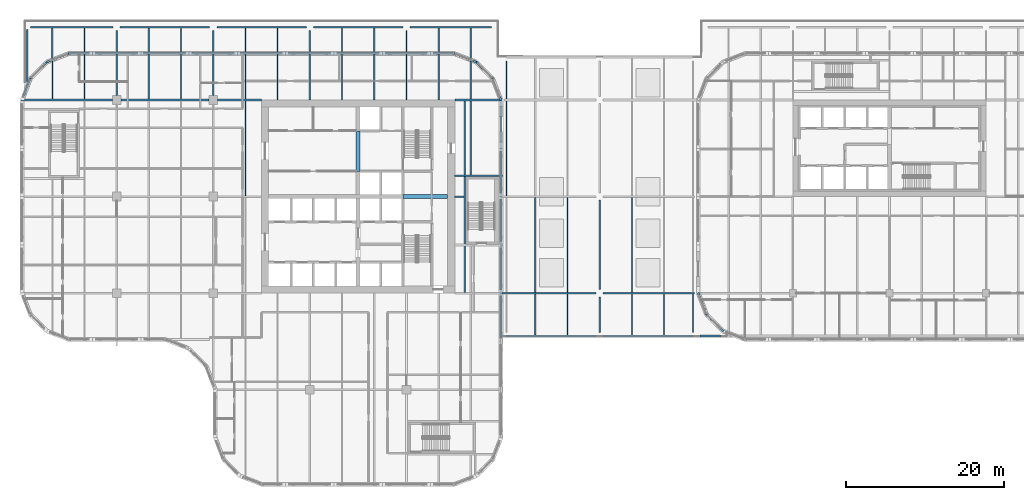
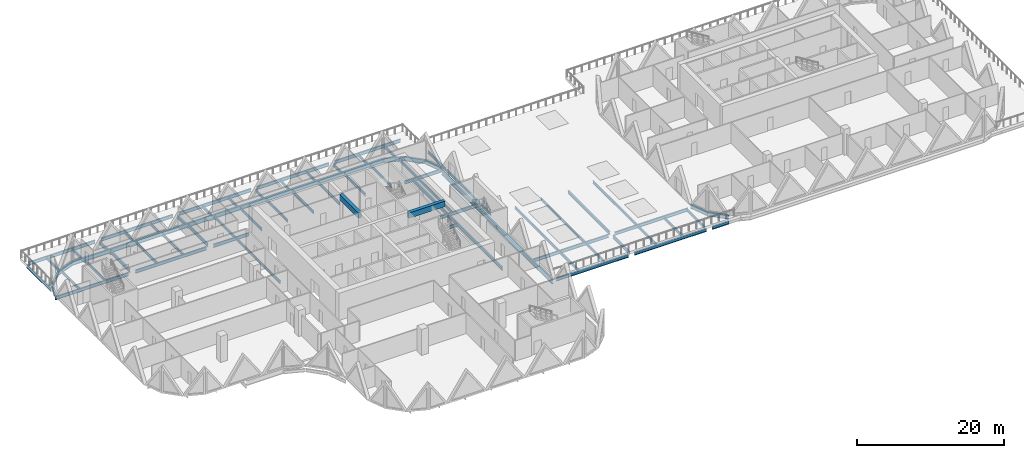
# One storey, part 2 of 21: 72 beams.
"""IFC4 building model written with IfcOpenShell, lengths in metres."""

import ifcopenshell
import ifcopenshell.guid

model = None  # the IFC model being written
_history = None  # IfcOwnerHistory: only IFC2X3 demands one
_inside = {}  # id of a spatial element -> (the spatial element, [elements in it])
_under = {}  # id of a project, library or spatial element -> (it, [spatial elements below it])
_declared = {}  # id of a project -> (the project, [libraries it declares])
_typed = {}  # id of a type object -> (the type object, [elements of that type])
_made_of = {}  # id of a material, layer set ... -> (it, [elements and type objects made of it])


def new_model(schema):
    """Start an empty IFC model of exactly this schema.

    Asked for "IFC4X3", IfcOpenShell would pick the latest addendum, in which some entities
    have other attributes; the version numbers below select the first issue.
    IFC2X3 requires an IfcOwnerHistory on every rooted entity: one is made here for all.
    """
    global model, _history
    if schema == "IFC4X3":
        model = ifcopenshell.file(schema_version=(4, 3, 0, 0))
    else:
        model = ifcopenshell.file(schema=schema)
    _inside.clear()
    _under.clear()
    _declared.clear()
    _typed.clear()
    _made_of.clear()
    _history = None
    if model.schema == "IFC2X3":
        org = make("IfcOrganization", Name="unknown")
        user = make(
            "IfcPersonAndOrganization",
            ThePerson=make("IfcPerson", FamilyName="unknown"),
            TheOrganization=org,
        )
        app = make(
            "IfcApplication",
            ApplicationDeveloper=org,
            Version="unknown",
            ApplicationFullName="unknown",
            ApplicationIdentifier="unknown",
        )
        _history = make(
            "IfcOwnerHistory",
            OwningUser=user,
            OwningApplication=app,
            ChangeAction="ADDED",
            CreationDate=0,
        )
    return model


def make(cls, **values):
    """One entity of the class cls with the attributes given. An attribute that is None is left unset."""
    return model.create_entity(
        cls, **{name: value for name, value in values.items() if value is not None}
    )


def rooted(cls, **values):
    """An entity with a GlobalId (a new one), such as an element, a storey or a relation."""
    return make(cls, GlobalId=ifcopenshell.guid.new(), OwnerHistory=_history, **values)


def si_unit(unit_type, name, prefix=None):
    """IfcSIUnit, for example si_unit("LENGTHUNIT", "METRE", prefix="MILLI")."""
    return make("IfcSIUnit", UnitType=unit_type, Prefix=prefix, Name=name)


def assignment(units):
    """IfcUnitAssignment: the units of a project."""
    return None if units is None else make("IfcUnitAssignment", Units=units)


def point(xyz):
    """IfcCartesianPoint."""
    return None if xyz is None else make("IfcCartesianPoint", Coordinates=xyz)


def direction(xyz):
    """IfcDirection."""
    return None if xyz is None else make("IfcDirection", DirectionRatios=xyz)


def frame(location, z_axis=None, x_axis=None):
    """IfcAxis2Placement3D, a coordinate frame: its origin and axes. An axis left out is left unset."""
    return make(
        "IfcAxis2Placement3D",
        Location=point(location),
        Axis=direction(z_axis),
        RefDirection=direction(x_axis),
    )


def frame_2d(location, x_axis=None):
    """IfcAxis2Placement2D, a coordinate frame in the plane: its origin and x axis."""
    return make(
        "IfcAxis2Placement2D", Location=point(location), RefDirection=direction(x_axis)
    )


def origin():
    """The frame at (0, 0, 0) with its axes left unset."""
    return frame((0.0, 0.0, 0.0))


def origin_2d():
    """The frame at (0, 0) in the plane with its x axis left unset."""
    return frame_2d((0.0, 0.0))


def place(relative_to, where):
    """IfcLocalPlacement: puts the frame where relative to a parent placement (None: the world)."""
    return make(
        "IfcLocalPlacement", PlacementRelTo=relative_to, RelativePlacement=where
    )


def context(
    kind, dimensions, precision=None, world=None, true_north=None, identifier=None
):
    """IfcGeometricRepresentationContext, for example the 3D "Model" context."""
    return make(
        "IfcGeometricRepresentationContext",
        ContextIdentifier=identifier,
        ContextType=kind,
        CoordinateSpaceDimension=dimensions,
        Precision=precision,
        WorldCoordinateSystem=world,
        TrueNorth=true_north,
    )


def subcontext(parent, identifier, kind, view, scale=None):
    """IfcGeometricRepresentationSubContext, for example "Body" below "Model"."""
    return make(
        "IfcGeometricRepresentationSubContext",
        ContextIdentifier=identifier,
        ContextType=kind,
        ParentContext=parent,
        TargetScale=scale,
        TargetView=view,
    )


def project(units=None, contexts=None):
    """IfcProject with its units and contexts."""
    return rooted(
        "IfcProject",
        Name="project",
        RepresentationContexts=contexts,
        UnitsInContext=assignment(units),
    )


def spatial(cls, under=None, at=None, **own):
    """A site, building, storey or space (cls), placed at a placement, below another one or the project."""
    s = rooted(cls, ObjectPlacement=at, **own)
    if under is not None:
        _under.setdefault(under.id(), (under, []))[1].append(s)
    return s


def profile(cls, at=None, kind="AREA", **sizes):
    """A parametric profile (cls). Its sizes go by their IFC names, for example OverallWidth=200.0."""
    return make(cls, ProfileType=kind, Position=at, **sizes)


def rectangle(**sizes):
    """IfcRectangleProfileDef."""
    return profile("IfcRectangleProfileDef", **sizes)


def i_section(**sizes):
    """IfcIShapeProfileDef."""
    return profile("IfcIShapeProfileDef", **sizes)


def extrude(swept, where, along, depth):
    """IfcExtrudedAreaSolid: the profile swept, set in the frame where, extruded along a direction by depth."""
    return make(
        "IfcExtrudedAreaSolid",
        SweptArea=swept,
        Position=where,
        ExtrudedDirection=direction(along),
        Depth=depth,
    )


def shape(context_of_items, identifier, shape_type, items):
    """IfcShapeRepresentation: the items that make up one representation, for example the "Body"."""
    return make(
        "IfcShapeRepresentation",
        ContextOfItems=context_of_items,
        RepresentationIdentifier=identifier,
        RepresentationType=shape_type,
        Items=items,
    )


def material(Name=None, Category=None):
    """IfcMaterial."""
    return make("IfcMaterial", Name=Name, Category=Category)


def material_profile(
    of_material, cross_section, Name=None, Category=None, Priority=None
):
    """IfcMaterialProfile: a cross section and its material."""
    return make(
        "IfcMaterialProfile",
        Name=Name,
        Material=of_material,
        Profile=cross_section,
        Priority=Priority,
        Category=Category,
    )


def profile_set(profiles, Name=None, composite=None):
    """IfcMaterialProfileSet."""
    return make(
        "IfcMaterialProfileSet",
        Name=Name,
        MaterialProfiles=profiles,
        CompositeProfile=composite,
    )


def made_of(thing, what):
    """Note that an element or type object is made of a material, layer set ...; save() writes the relation."""
    if what is not None:
        _made_of.setdefault(what.id(), (what, []))[1].append(thing)
    return thing


def type_object(cls, material=None, **own):
    """A type object (cls), such as IfcWallType, which elements share."""
    return made_of(rooted(cls, **own), material)


def element(
    cls,
    number,
    at=None,
    inside=None,
    cuts=None,
    type_object=None,
    material=None,
    context=None,
    identifier="Body",
    shape_type=None,
    held_by="IfcProductDefinitionShape",
    body=None,
    shapes=None,
    **own,
):
    """One element of the class cls, such as IfcWall. Its Tag is "e" and its number.

    at: its placement. inside: the storey or other place that contains it. cuts: it is an
    opening in that element (IfcRelVoidsElement). A single representation is given by context,
    identifier, shape_type and body (its items); several are given by shapes. held_by: the class
    of the entity that holds the representations. save() writes the other relations.
    """
    e = rooted(cls, Tag="e%d" % number, ObjectPlacement=at, **own)
    if body is not None:
        shapes = [shape(context, identifier, shape_type, body)]
    if shapes is not None:
        e.Representation = make(held_by, Representations=shapes)
    if inside is not None:
        _inside.setdefault(inside.id(), (inside, []))[1].append(e)
    if cuts is not None:
        rooted(
            "IfcRelVoidsElement", RelatingBuildingElement=cuts, RelatedOpeningElement=e
        )
    if type_object is not None:
        _typed.setdefault(type_object.id(), (type_object, []))[1].append(e)
    return made_of(e, material)


def aggregate(whole, parts):
    """IfcRelAggregates: a whole, such as a stair, and the parts it consists of."""
    return rooted("IfcRelAggregates", RelatingObject=whole, RelatedObjects=parts)


def save(model, path):
    """Write the relations noted so far, then the file.

    IfcRelAggregates (storeys below a building ...), IfcRelContainedInSpatialStructure (elements
    in a storey), IfcRelDefinesByType, IfcRelAssociatesMaterial and IfcRelDeclares: one each for
    every whole, place, type object, material and project.
    """
    for whole, parts in _under.values():
        aggregate(whole, parts)
    for where, things in _inside.values():
        rooted(
            "IfcRelContainedInSpatialStructure",
            RelatedElements=things,
            RelatingStructure=where,
        )
    for kind, things in _typed.values():
        rooted("IfcRelDefinesByType", RelatedObjects=things, RelatingType=kind)
    for what, things in _made_of.values():
        rooted("IfcRelAssociatesMaterial", RelatedObjects=things, RelatingMaterial=what)
    for by, libraries in _declared.values():
        rooted("IfcRelDeclares", RelatingContext=by, RelatedDefinitions=libraries)
    model.write(path)


model = new_model("IFC4")

# Units and contexts
model_context = context("Model", 3, precision=1e-05, world=origin(), true_north=direction((0.0, 1.0)))
body_context = subcontext(model_context, "Body", "Model", "MODEL_VIEW")
ifc_project = project(units=[si_unit("LENGTHUNIT", "METRE"), si_unit("AREAUNIT", "SQUARE_METRE"), si_unit("VOLUMEUNIT", "CUBIC_METRE"), si_unit("PLANEANGLEUNIT", "RADIAN"), si_unit("MASSUNIT", "GRAM", prefix="KILO")], contexts=[model_context])

# Site, building, storey
site_placement = place(None, origin())
site = spatial("IfcSite", under=ifc_project, at=site_placement, CompositionType="ELEMENT")
building_placement = place(site_placement, origin())
building = spatial("IfcBuilding", under=site, at=building_placement, Name="Tessera Gate Towers", CompositionType="ELEMENT")
storey_placement = place(building_placement, frame((0.0, 0.0, 16.800048828125)))
storey = spatial("IfcBuildingStorey", under=building, at=storey_placement, Name="L03", CompositionType="ELEMENT", Elevation=16.800048828125)

# Beams
ifc_material_1 = material(Name="Concrete C70/85", Category="concrete")
ifc_material_profile_1 = material_profile(ifc_material_1, rectangle(XDim=0.5, YDim=0.89990234375, at=origin_2d()), Name="RC 500x900")
ifc_profile_set_1 = profile_set([ifc_material_profile_1], Name="Concrete C70/85")
beam_type_1 = type_object("IfcBeamType", Name="COUPLING BEAM 500x900 C70/85", PredefinedType="BEAM", material=ifc_profile_set_1)
beam_1_placement = place(storey_placement, frame((48.35009765625, 36.60009765625, 3.849853515625), z_axis=(1.0, 0.0, 0.0), x_axis=(0.0, 1.0, 0.0)))
element("IfcBeam", 1, at=beam_1_placement, inside=storey, type_object=beam_type_1, Name="L03 coupling beam 1", PredefinedType="BEAM", context=body_context, shape_type="SweptSolid", body=[
    extrude(rectangle(XDim=0.5, YDim=0.89990234375, at=origin_2d()), origin(), (0.0, 0.0, 1.0), 5.64990234375),
])
beam_2_placement = place(storey_placement, frame((42.699951171875, 39.800048828125, 3.849853515625), z_axis=(0.0, 1.0, 0.0), x_axis=(-1.0, 0.0, 0.0)))
element("IfcBeam", 2, at=beam_2_placement, inside=storey, type_object=beam_type_1, Name="L03 coupling beam 2", PredefinedType="BEAM", context=body_context, shape_type="SweptSolid", body=[
    extrude(rectangle(XDim=0.5, YDim=0.89990234375, at=origin_2d()), origin(), (0.0, 0.0, 1.0), 5.099853515625),
])
ifc_material_2 = material(Name="Steel 350W", Category="steel")
ifc_material_profile_2 = material_profile(ifc_material_2, i_section(OverallWidth=0.2529296875, OverallDepth=0.677978515625, WebThickness=0.01171875, FlangeThickness=0.016357421875, at=origin_2d()), Name="W690x125")
ifc_profile_set_2 = profile_set([ifc_material_profile_2], Name="Steel 350W")
beam_type_2 = type_object("IfcBeamType", Name="FLOOR EDGE GIRDER W690x125", PredefinedType="BEAM", material=ifc_profile_set_2)
beam_3_placement = place(storey_placement, frame((60.75, 18.800048828125, -0.7890625), z_axis=(0.0, 1.0, 0.0), x_axis=(-1.0, 0.0, 0.0)))
element("IfcBeam", 3, at=beam_3_placement, inside=storey, type_object=beam_type_2, Name="T1-GD-L03-555", PredefinedType="BEAM", context=body_context, shape_type="SweptSolid", body=[
    extrude(i_section(OverallWidth=0.2529296875, OverallDepth=0.677978515625, WebThickness=0.01171875, FlangeThickness=0.016357421875, at=origin_2d()), origin(), (0.0, 0.0, 1.0), 29.969970703125),
])
for number, where, z_axis, x_axis, name in (
    (4, (59.6796875, 51.527587890625, -0.339111328125), (0.360002034285, -0.932951518199, 0.0), (0.932951518199, 0.360002034285, 0.0), "T1-GD-L03-556"),
    (5, (57.590087890625, 53.604248046875, -0.339111328125), (0.707106781187, -0.707106781187, 0.0), (0.707106781187, 0.707106781187, 0.0), "T1-GD-L03-557"),
):
    element("IfcBeam", number, at=place(storey_placement, frame(where, z_axis=z_axis, x_axis=x_axis)), inside=storey, type_object=beam_type_2, Name=name, PredefinedType="BEAM", context=body_context, shape_type="SweptSolid", body=[
        extrude(i_section(OverallWidth=0.2529296875, OverallDepth=0.677978515625, WebThickness=0.01171875, FlangeThickness=0.016357421875, at=origin_2d()), origin(), (0.0, 0.0, 1.0), 2.989990234375),
    ])
beam_4_placement = place(storey_placement, frame((54.837890625, 54.656005859375, -0.339111328125), z_axis=(0.932989517273, -0.359903543549, 0.0), x_axis=(0.359903543549, 0.932989517273, 0.0)))
element("IfcBeam", 6, at=beam_4_placement, inside=storey, type_object=beam_type_2, Name="T1-GD-L03-558", PredefinedType="BEAM", context=body_context, shape_type="SweptSolid", body=[
    extrude(i_section(OverallWidth=0.2529296875, OverallDepth=0.677978515625, WebThickness=0.01171875, FlangeThickness=0.016357421875, at=origin_2d()), origin(), (0.0, 0.0, 1.0), 2.990234375),
])
beam_5_placement = place(storey_placement, frame((6.1298828125, 54.64990234375, -0.339111328125), z_axis=(1.0, 0.0, 0.0), x_axis=(0.0, 1.0, 0.0)))
element("IfcBeam", 7, at=beam_5_placement, inside=storey, type_object=beam_type_2, Name="T1-GD-L03-559", PredefinedType="BEAM", context=body_context, shape_type="SweptSolid", body=[
    extrude(i_section(OverallWidth=0.2529296875, OverallDepth=0.677978515625, WebThickness=0.01171875, FlangeThickness=0.016357421875, at=origin_2d()), origin(), (0.0, 0.0, 1.0), 48.740234375),
])
beam_6_placement = place(storey_placement, frame((3.372314453125, 53.579833984375, -0.339111328125), z_axis=(0.932989517273, 0.359903543549, 0.0), x_axis=(-0.359903543549, 0.932989517273, 0.0)))
element("IfcBeam", 8, at=beam_6_placement, inside=storey, type_object=beam_type_2, Name="T1-GD-L03-560", PredefinedType="BEAM", context=body_context, shape_type="SweptSolid", body=[
    extrude(i_section(OverallWidth=0.2529296875, OverallDepth=0.677978515625, WebThickness=0.01171875, FlangeThickness=0.016357421875, at=origin_2d()), origin(), (0.0, 0.0, 1.0), 2.990234375),
])
beam_7_placement = place(storey_placement, frame((1.295654296875, 51.489990234375, -0.339111328125), z_axis=(0.707106781187, 0.707106781187, 0.0), x_axis=(-0.707106781187, 0.707106781187, 0.0)))
element("IfcBeam", 9, at=beam_7_placement, inside=storey, type_object=beam_type_2, Name="T1-GD-L03-561", PredefinedType="BEAM", context=body_context, shape_type="SweptSolid", body=[
    extrude(i_section(OverallWidth=0.2529296875, OverallDepth=0.677978515625, WebThickness=0.01171875, FlangeThickness=0.016357421875, at=origin_2d()), origin(), (0.0, 0.0, 1.0), 2.989990234375),
])
beam_8_placement = place(storey_placement, frame((0.5, 49.401611328125, -0.339111328125), z_axis=(0.359983981069, 0.932958484271, 0.0), x_axis=(-0.932958484271, 0.359983981069, 0.0)))
element("IfcBeam", 10, at=beam_8_placement, inside=storey, type_object=beam_type_2, Name="T1-GD-L03-562", PredefinedType="BEAM", context=body_context, shape_type="SweptSolid", body=[
    extrude(i_section(OverallWidth=0.2529296875, OverallDepth=0.677978515625, WebThickness=0.01171875, FlangeThickness=0.016357421875, at=origin_2d()), origin(), (0.0, 0.0, 1.0), 2.27880859375),
])
beam_9_placement = place(storey_placement, frame((85.64404296875, 24.4619140625, -0.339111328125), z_axis=(0.359930961693, -0.932978940178, 0.0), x_axis=(0.932978940178, 0.359930961693, 0.0)))
element("IfcBeam", 11, at=beam_9_placement, inside=storey, type_object=beam_type_2, Name="T2-GD-L03-652", PredefinedType="BEAM", context=body_context, shape_type="SweptSolid", body=[
    extrude(i_section(OverallWidth=0.2529296875, OverallDepth=0.677978515625, WebThickness=0.01171875, FlangeThickness=0.016357421875, at=origin_2d()), origin(), (0.0, 0.0, 1.0), 2.989990234375),
])
beam_10_placement = place(storey_placement, frame((86.69580078125, 21.7099609375, -0.339111328125), z_axis=(0.707065951624, -0.707147608392, 0.0), x_axis=(0.707147608392, 0.707065951624, 0.0)))
element("IfcBeam", 12, at=beam_10_placement, inside=storey, type_object=beam_type_2, Name="T2-GD-L03-653", PredefinedType="BEAM", context=body_context, shape_type="SweptSolid", body=[
    extrude(i_section(OverallWidth=0.2529296875, OverallDepth=0.677978515625, WebThickness=0.01171875, FlangeThickness=0.016357421875, at=origin_2d()), origin(), (0.0, 0.0, 1.0), 2.98974609375),
])
ifc_material_3 = material(Name="Steel 350W", Category="steel")
ifc_material_profile_3 = material_profile(ifc_material_3, i_section(OverallWidth=0.208984375, OverallDepth=0.532958984375, WebThickness=0.01025390625, FlangeThickness=0.015625, at=origin_2d()), Name="W530x92")
ifc_profile_set_3 = profile_set([ifc_material_profile_3], Name="Steel 350W")
beam_type_3 = type_object("IfcBeamType", Name="FLOOR GIRDER W530x92", PredefinedType="BEAM", material=ifc_profile_set_3)
beam_11_placement = place(storey_placement, frame((54.89892578125, 36.60009765625, -0.466552734375), z_axis=(1.0, 0.0, 0.0), x_axis=(0.0, 1.0, 0.0)))
element("IfcBeam", 13, at=beam_11_placement, inside=storey, type_object=beam_type_3, Name="T1-GD-L03-573", PredefinedType="BEAM", context=body_context, shape_type="SweptSolid", body=[
    extrude(i_section(OverallWidth=0.208984375, OverallDepth=0.532958984375, WebThickness=0.01025390625, FlangeThickness=0.015625, at=origin_2d()), origin(), (0.0, 0.0, 1.0), 1.176513671875),
])
beam_12_placement = place(storey_placement, frame((0.143310546875, 48.800048828125, -0.466552734375), z_axis=(1.0, 0.0, 0.0), x_axis=(0.0, 1.0, 0.0)))
element("IfcBeam", 14, at=beam_12_placement, inside=storey, type_object=beam_type_3, Name="T1-GD-L03-574", PredefinedType="BEAM", context=body_context, shape_type="SweptSolid", body=[
    extrude(i_section(OverallWidth=0.208984375, OverallDepth=0.532958984375, WebThickness=0.01025390625, FlangeThickness=0.015625, at=origin_2d()), origin(), (0.0, 0.0, 1.0), 11.506591796875),
])
beam_13_placement = place(storey_placement, frame((12.75, 48.800048828125, -0.466552734375), z_axis=(1.0, 0.0, 0.0), x_axis=(0.0, 1.0, 0.0)))
element("IfcBeam", 15, at=beam_13_placement, inside=storey, type_object=beam_type_3, Name="T1-GD-L03-575", PredefinedType="BEAM", context=body_context, shape_type="SweptSolid", body=[
    extrude(i_section(OverallWidth=0.208984375, OverallDepth=0.532958984375, WebThickness=0.01025390625, FlangeThickness=0.015625, at=origin_2d()), origin(), (0.0, 0.0, 1.0), 11.10009765625),
])
beam_14_placement = place(storey_placement, frame((24.949951171875, 48.800048828125, -0.466552734375), z_axis=(1.0, 0.0, 0.0), x_axis=(0.0, 1.0, 0.0)))
element("IfcBeam", 16, at=beam_14_placement, inside=storey, type_object=beam_type_3, Name="T1-GD-L03-576", PredefinedType="BEAM", context=body_context, shape_type="SweptSolid", body=[
    extrude(i_section(OverallWidth=0.208984375, OverallDepth=0.532958984375, WebThickness=0.01025390625, FlangeThickness=0.015625, at=origin_2d()), origin(), (0.0, 0.0, 1.0), 5.549072265625),
])
beam_15_placement = place(storey_placement, frame((54.90087890625, 48.800048828125, -0.466552734375), z_axis=(1.0, 0.0, 0.0), x_axis=(0.0, 1.0, 0.0)))
element("IfcBeam", 17, at=beam_15_placement, inside=storey, type_object=beam_type_3, Name="T1-GD-L03-577", PredefinedType="BEAM", context=body_context, shape_type="SweptSolid", body=[
    extrude(i_section(OverallWidth=0.208984375, OverallDepth=0.532958984375, WebThickness=0.01025390625, FlangeThickness=0.015625, at=origin_2d()), origin(), (0.0, 0.0, 1.0), 5.695556640625),
])
for number, where, z_axis, x_axis, name in (
    (18, (12.199951171875, 49.35009765625, -0.466552734375), (0.0, 1.0, 0.0), (-1.0, 0.0, 0.0), "T1-GD-L03-581"),
    (19, (24.39990234375, 49.35009765625, -0.466552734375), (0.0, 1.0, 0.0), (-1.0, 0.0, 0.0), "T1-GD-L03-585"),
):
    element("IfcBeam", number, at=place(storey_placement, frame(where, z_axis=z_axis, x_axis=x_axis)), inside=storey, type_object=beam_type_3, Name=name, PredefinedType="BEAM", context=body_context, shape_type="SweptSolid", body=[
        extrude(i_section(OverallWidth=0.208984375, OverallDepth=0.532958984375, WebThickness=0.01025390625, FlangeThickness=0.015625, at=origin_2d()), origin(), (0.0, 0.0, 1.0), 5.17333984375),
    ])
beam_16_placement = place(storey_placement, frame((54.89892578125, 39.219970703125, -0.466552734375), z_axis=(1.0, 0.0, 0.0), x_axis=(0.0, 1.0, 0.0)))
element("IfcBeam", 20, at=beam_16_placement, inside=storey, type_object=beam_type_3, Name="T1-GD-L03-595", PredefinedType="BEAM", context=body_context, shape_type="SweptSolid", body=[
    extrude(i_section(OverallWidth=0.208984375, OverallDepth=0.532958984375, WebThickness=0.01025390625, FlangeThickness=0.015625, at=origin_2d()), origin(), (0.0, 0.0, 1.0), 6.024658203125),
])
beam_17_placement = place(storey_placement, frame((56.179931640625, 24.50439453125, -0.466552734375), z_axis=(0.0, 1.0, 0.0), x_axis=(-1.0, 0.0, 0.0)))
element("IfcBeam", 21, at=beam_17_placement, inside=storey, type_object=beam_type_3, Name="T1-GD-L03-596", PredefinedType="BEAM", context=body_context, shape_type="SweptSolid", body=[
    extrude(i_section(OverallWidth=0.208984375, OverallDepth=0.532958984375, WebThickness=0.01025390625, FlangeThickness=0.015625, at=origin_2d()), origin(), (0.0, 0.0, 1.0), 24.191162109375),
])
for number, where, z_axis, x_axis, name in (
    (22, (61.449951171875, 19.0, -0.716552734375), (1.0, 0.0, 0.0), (0.0, 1.0, 0.0), "PD-R-GD-L03-701"),
    (23, (73.64990234375, 19.0, -0.716552734375), (1.0, 0.0, 0.0), (0.0, 1.0, 0.0), "PD-R-GD-L03-702"),
):
    element("IfcBeam", number, at=place(storey_placement, frame(where, z_axis=z_axis, x_axis=x_axis)), inside=storey, type_object=beam_type_3, Name=name, PredefinedType="BEAM", context=body_context, shape_type="SweptSolid", body=[
        extrude(i_section(OverallWidth=0.208984375, OverallDepth=0.532958984375, WebThickness=0.01025390625, FlangeThickness=0.015625, at=origin_2d()), origin(), (0.0, 0.0, 1.0), 11.300048828125),
    ])
beam_18_placement = place(storey_placement, frame((85.85009765625, 19.0, -0.716552734375), z_axis=(1.0, 0.0, 0.0), x_axis=(0.0, 1.0, 0.0)))
element("IfcBeam", 24, at=beam_18_placement, inside=storey, type_object=beam_type_3, Name="PD-R-GD-L03-703", PredefinedType="BEAM", context=body_context, shape_type="SweptSolid", body=[
    extrude(i_section(OverallWidth=0.208984375, OverallDepth=0.532958984375, WebThickness=0.01025390625, FlangeThickness=0.015625, at=origin_2d()), origin(), (0.0, 0.0, 1.0), 2.59375),
])
beam_19_placement = place(storey_placement, frame((0.89990234375, 51.13037109375, -0.716552734375), z_axis=(0.0, 1.0, 0.0), x_axis=(-1.0, 0.0, 0.0)))
element("IfcBeam", 25, at=beam_19_placement, inside=storey, type_object=beam_type_3, Name="PD-R-GD-L03-707", PredefinedType="BEAM", context=body_context, shape_type="SweptSolid", body=[
    extrude(i_section(OverallWidth=0.208984375, OverallDepth=0.532958984375, WebThickness=0.01025390625, FlangeThickness=0.015625, at=origin_2d()), origin(), (0.0, 0.0, 1.0), 6.569580078125),
])
beam_20_placement = place(storey_placement, frame((60.8544921875, 24.39990234375, -0.716552734375), z_axis=(1.0, 0.0, 0.0), x_axis=(0.0, 1.0, 0.0)))
element("IfcBeam", 26, at=beam_20_placement, inside=storey, type_object=beam_type_3, Name="PD-R-GD-L03-712", PredefinedType="BEAM", context=body_context, shape_type="SweptSolid", body=[
    extrude(i_section(OverallWidth=0.208984375, OverallDepth=0.532958984375, WebThickness=0.01025390625, FlangeThickness=0.015625, at=origin_2d()), origin(), (0.0, 0.0, 1.0), 11.8955078125),
])
beam_21_placement = place(storey_placement, frame((73.64990234375, 24.39990234375, -0.716552734375), z_axis=(1.0, 0.0, 0.0), x_axis=(0.0, 1.0, 0.0)))
element("IfcBeam", 27, at=beam_21_placement, inside=storey, type_object=beam_type_3, Name="PD-R-GD-L03-713", PredefinedType="BEAM", context=body_context, shape_type="SweptSolid", body=[
    extrude(i_section(OverallWidth=0.208984375, OverallDepth=0.532958984375, WebThickness=0.01025390625, FlangeThickness=0.015625, at=origin_2d()), origin(), (0.0, 0.0, 1.0), 11.550048828125),
])
beam_22_placement = place(storey_placement, frame((1.35009765625, 58.0, -0.716552734375), z_axis=(1.0, 0.0, 0.0), x_axis=(0.0, 1.0, 0.0)))
element("IfcBeam", 28, at=beam_22_placement, inside=storey, type_object=beam_type_3, Name="PD-R-GD-L03-721", PredefinedType="BEAM", context=body_context, shape_type="SweptSolid", body=[
    extrude(i_section(OverallWidth=0.208984375, OverallDepth=0.532958984375, WebThickness=0.01025390625, FlangeThickness=0.015625, at=origin_2d()), origin(), (0.0, 0.0, 1.0), 10.39990234375),
])
beam_23_placement = place(storey_placement, frame((12.64990234375, 58.0, -0.716552734375), z_axis=(1.0, 0.0, 0.0), x_axis=(0.0, 1.0, 0.0)))
element("IfcBeam", 29, at=beam_23_placement, inside=storey, type_object=beam_type_3, Name="PD-R-GD-L03-722", PredefinedType="BEAM", context=body_context, shape_type="SweptSolid", body=[
    extrude(i_section(OverallWidth=0.208984375, OverallDepth=0.532958984375, WebThickness=0.01025390625, FlangeThickness=0.015625, at=origin_2d()), origin(), (0.0, 0.0, 1.0), 11.300048828125),
])
beam_24_placement = place(storey_placement, frame((24.85009765625, 58.0, -0.716552734375), z_axis=(1.0, 0.0, 0.0), x_axis=(0.0, 1.0, 0.0)))
element("IfcBeam", 30, at=beam_24_placement, inside=storey, type_object=beam_type_3, Name="PD-R-GD-L03-723", PredefinedType="BEAM", context=body_context, shape_type="SweptSolid", body=[
    extrude(i_section(OverallWidth=0.208984375, OverallDepth=0.532958984375, WebThickness=0.01025390625, FlangeThickness=0.015625, at=origin_2d()), origin(), (0.0, 0.0, 1.0), 11.2998046875),
])
beam_25_placement = place(storey_placement, frame((37.050048828125, 58.0, -0.716552734375), z_axis=(1.0, 0.0, 0.0), x_axis=(0.0, 1.0, 0.0)))
element("IfcBeam", 31, at=beam_25_placement, inside=storey, type_object=beam_type_3, Name="PD-R-GD-L03-724", PredefinedType="BEAM", context=body_context, shape_type="SweptSolid", body=[
    extrude(i_section(OverallWidth=0.208984375, OverallDepth=0.532958984375, WebThickness=0.01025390625, FlangeThickness=0.015625, at=origin_2d()), origin(), (0.0, 0.0, 1.0), 11.300048828125),
])
beam_26_placement = place(storey_placement, frame((49.25, 58.0, -0.716552734375), z_axis=(1.0, 0.0, 0.0), x_axis=(0.0, 1.0, 0.0)))
element("IfcBeam", 32, at=beam_26_placement, inside=storey, type_object=beam_type_3, Name="PD-R-GD-L03-725", PredefinedType="BEAM", context=body_context, shape_type="SweptSolid", body=[
    extrude(i_section(OverallWidth=0.208984375, OverallDepth=0.532958984375, WebThickness=0.01025390625, FlangeThickness=0.015625, at=origin_2d()), origin(), (0.0, 0.0, 1.0), 10.300048828125),
])
beam_27_placement = place(storey_placement, frame((12.199951171875, 54.5234375, -0.716552734375), z_axis=(0.0, 1.0, 0.0), x_axis=(-1.0, 0.0, 0.0)))
element("IfcBeam", 33, at=beam_27_placement, inside=storey, type_object=beam_type_3, Name="PD-R-GD-L03-730", PredefinedType="BEAM", context=body_context, shape_type="SweptSolid", body=[
    extrude(i_section(OverallWidth=0.208984375, OverallDepth=0.532958984375, WebThickness=0.01025390625, FlangeThickness=0.015625, at=origin_2d()), origin(), (0.0, 0.0, 1.0), 3.026611328125),
])
beam_28_placement = place(storey_placement, frame((24.39990234375, 54.75439453125, -0.716552734375), z_axis=(0.0, 1.0, 0.0), x_axis=(-1.0, 0.0, 0.0)))
element("IfcBeam", 34, at=beam_28_placement, inside=storey, type_object=beam_type_3, Name="PD-R-GD-L03-731", PredefinedType="BEAM", context=body_context, shape_type="SweptSolid", body=[
    extrude(i_section(OverallWidth=0.208984375, OverallDepth=0.532958984375, WebThickness=0.01025390625, FlangeThickness=0.015625, at=origin_2d()), origin(), (0.0, 0.0, 1.0), 2.795654296875),
])
beam_29_placement = place(storey_placement, frame((73.199951171875, 19.449951171875, -0.716552734375), z_axis=(0.0, 1.0, 0.0), x_axis=(-1.0, 0.0, 0.0)))
element("IfcBeam", 35, at=beam_29_placement, inside=storey, type_object=beam_type_3, Name="PD-R-GD-L03-732", PredefinedType="BEAM", context=body_context, shape_type="SweptSolid", body=[
    extrude(i_section(OverallWidth=0.208984375, OverallDepth=0.532958984375, WebThickness=0.01025390625, FlangeThickness=0.015625, at=origin_2d()), origin(), (0.0, 0.0, 1.0), 4.5),
])
beam_30_placement = place(storey_placement, frame((73.199951171875, 24.85009765625, -0.716552734375), z_axis=(0.0, 1.0, 0.0), x_axis=(-1.0, 0.0, 0.0)))
element("IfcBeam", 36, at=beam_30_placement, inside=storey, type_object=beam_type_3, Name="PD-R-GD-L03-733", PredefinedType="BEAM", context=body_context, shape_type="SweptSolid", body=[
    extrude(i_section(OverallWidth=0.208984375, OverallDepth=0.532958984375, WebThickness=0.01025390625, FlangeThickness=0.015625, at=origin_2d()), origin(), (0.0, 0.0, 1.0), 11.2998046875),
])
ifc_material_4 = material(Name="Steel 350W", Category="steel")
ifc_material_profile_4 = material_profile(ifc_material_4, i_section(OverallWidth=0.153076171875, OverallDepth=0.455078125, WebThickness=0.008056640625, FlangeThickness=0.01318359375, at=origin_2d()), Name="W460x60")
ifc_profile_set_4 = profile_set([ifc_material_profile_4], Name="Steel 350W")
beam_type_4 = type_object("IfcBeamType", Name="FLOOR SECONDARY W460x60", PredefinedType="BEAM", material=ifc_profile_set_4)
beam_31_placement = place(storey_placement, frame((4.0908203125, 48.904541015625, -0.427490234375), z_axis=(0.0, 1.0, 0.0), x_axis=(-1.0, 0.0, 0.0)))
element("IfcBeam", 37, at=beam_31_placement, inside=storey, type_object=beam_type_4, Name="T1-BM-L03-600", PredefinedType="BEAM", context=body_context, shape_type="SweptSolid", body=[
    extrude(i_section(OverallWidth=0.153076171875, OverallDepth=0.455078125, WebThickness=0.008056640625, FlangeThickness=0.01318359375, at=origin_2d()), origin(), (0.0, 0.0, 1.0), 4.81689453125),
])
for number, where, z_axis, x_axis, name in (
    (38, (8.13330078125, 48.904541015625, -0.427490234375), (0.0, 1.0, 0.0), (-1.0, 0.0, 0.0), "T1-BM-L03-604"),
    (39, (16.2666015625, 48.904541015625, -0.427490234375), (0.0, 1.0, 0.0), (-1.0, 0.0, 0.0), "T1-BM-L03-608"),
    (40, (20.333251953125, 48.904541015625, -0.427490234375), (0.0, 1.0, 0.0), (-1.0, 0.0, 0.0), "T1-BM-L03-612"),
):
    element("IfcBeam", number, at=place(storey_placement, frame(where, z_axis=z_axis, x_axis=x_axis)), inside=storey, type_object=beam_type_4, Name=name, PredefinedType="BEAM", context=body_context, shape_type="SweptSolid", body=[
        extrude(i_section(OverallWidth=0.153076171875, OverallDepth=0.455078125, WebThickness=0.008056640625, FlangeThickness=0.01318359375, at=origin_2d()), origin(), (0.0, 0.0, 1.0), 5.618896484375),
    ])
beam_32_placement = place(storey_placement, frame((28.466796875, 36.70458984375, -0.427490234375), z_axis=(0.0, 1.0, 0.0), x_axis=(-1.0, 0.0, 0.0)))
element("IfcBeam", 41, at=beam_32_placement, inside=storey, type_object=beam_type_4, Name="T1-BM-L03-616", PredefinedType="BEAM", context=body_context, shape_type="SweptSolid", body=[
    extrude(i_section(OverallWidth=0.153076171875, OverallDepth=0.455078125, WebThickness=0.008056640625, FlangeThickness=0.01318359375, at=origin_2d()), origin(), (0.0, 0.0, 1.0), 11.990966796875),
])
beam_33_placement = place(storey_placement, frame((28.466796875, 48.904541015625, -0.427490234375), z_axis=(0.0, 1.0, 0.0), x_axis=(-1.0, 0.0, 0.0)))
element("IfcBeam", 42, at=beam_33_placement, inside=storey, type_object=beam_type_4, Name="T1-BM-L03-617", PredefinedType="BEAM", context=body_context, shape_type="SweptSolid", body=[
    extrude(i_section(OverallWidth=0.153076171875, OverallDepth=0.455078125, WebThickness=0.008056640625, FlangeThickness=0.01318359375, at=origin_2d()), origin(), (0.0, 0.0, 1.0), 5.618896484375),
])
for number, where, z_axis, x_axis, name in (
    (43, (32.533203125, 48.800048828125, -0.427490234375), (0.0, 1.0, 0.0), (-1.0, 0.0, 0.0), "T1-BM-L03-620"),
    (44, (36.60009765625, 48.800048828125, -0.427490234375), (0.0, 1.0, 0.0), (-1.0, 0.0, 0.0), "T1-BM-L03-621"),
    (45, (40.666748046875, 48.800048828125, -0.427490234375), (0.0, 1.0, 0.0), (-1.0, 0.0, 0.0), "T1-BM-L03-624"),
    (46, (44.7333984375, 48.800048828125, -0.427490234375), (0.0, 1.0, 0.0), (-1.0, 0.0, 0.0), "T1-BM-L03-627"),
    (47, (48.800048828125, 48.800048828125, -0.427490234375), (0.0, 1.0, 0.0), (-1.0, 0.0, 0.0), "T1-BM-L03-628"),
    (48, (52.86669921875, 48.800048828125, -0.427490234375), (0.0, 1.0, 0.0), (-1.0, 0.0, 0.0), "T1-BM-L03-632"),
):
    element("IfcBeam", number, at=place(storey_placement, frame(where, z_axis=z_axis, x_axis=x_axis)), inside=storey, type_object=beam_type_4, Name=name, PredefinedType="BEAM", context=body_context, shape_type="SweptSolid", body=[
        extrude(i_section(OverallWidth=0.153076171875, OverallDepth=0.455078125, WebThickness=0.008056640625, FlangeThickness=0.01318359375, at=origin_2d()), origin(), (0.0, 0.0, 1.0), 5.723388671875),
    ])
beam_34_placement = place(storey_placement, frame((56.933349609375, 39.324462890625, -0.427490234375), z_axis=(0.0, 1.0, 0.0), x_axis=(-1.0, 0.0, 0.0)))
element("IfcBeam", 49, at=beam_34_placement, inside=storey, type_object=beam_type_4, Name="T1-BM-L03-637", PredefinedType="BEAM", context=body_context, shape_type="SweptSolid", body=[
    extrude(i_section(OverallWidth=0.153076171875, OverallDepth=0.455078125, WebThickness=0.008056640625, FlangeThickness=0.01318359375, at=origin_2d()), origin(), (0.0, 0.0, 1.0), 9.37109375),
])
beam_35_placement = place(storey_placement, frame((56.933349609375, 48.904541015625, -0.427490234375), z_axis=(0.0, 1.0, 0.0), x_axis=(-1.0, 0.0, 0.0)))
element("IfcBeam", 50, at=beam_35_placement, inside=storey, type_object=beam_type_4, Name="T1-BM-L03-638", PredefinedType="BEAM", context=body_context, shape_type="SweptSolid", body=[
    extrude(i_section(OverallWidth=0.153076171875, OverallDepth=0.455078125, WebThickness=0.008056640625, FlangeThickness=0.01318359375, at=origin_2d()), origin(), (0.0, 0.0, 1.0), 4.8076171875),
])
beam_36_placement = place(storey_placement, frame((4.066650390625, 53.959716796875, -0.677490234375), z_axis=(0.0, 1.0, 0.0), x_axis=(-1.0, 0.0, 0.0)))
element("IfcBeam", 51, at=beam_36_placement, inside=storey, type_object=beam_type_4, Name="PD-R-BM-L03-740", PredefinedType="BEAM", context=body_context, shape_type="SweptSolid", body=[
    extrude(i_section(OverallWidth=0.153076171875, OverallDepth=0.455078125, WebThickness=0.008056640625, FlangeThickness=0.01318359375, at=origin_2d()), origin(), (0.0, 0.0, 1.0), 3.935791015625),
])
for number, where, z_axis, x_axis, name in (
    (52, (8.13330078125, 54.75439453125, -0.677490234375), (0.0, 1.0, 0.0), (-1.0, 0.0, 0.0), "PD-R-BM-L03-741"),
    (53, (16.2666015625, 54.75439453125, -0.677490234375), (0.0, 1.0, 0.0), (-1.0, 0.0, 0.0), "PD-R-BM-L03-742"),
    (54, (20.333251953125, 54.75439453125, -0.677490234375), (0.0, 1.0, 0.0), (-1.0, 0.0, 0.0), "PD-R-BM-L03-743"),
    (55, (28.466796875, 54.75439453125, -0.677490234375), (0.0, 1.0, 0.0), (-1.0, 0.0, 0.0), "PD-R-BM-L03-744"),
    (56, (32.533203125, 54.75439453125, -0.677490234375), (0.0, 1.0, 0.0), (-1.0, 0.0, 0.0), "PD-R-BM-L03-745"),
):
    element("IfcBeam", number, at=place(storey_placement, frame(where, z_axis=z_axis, x_axis=x_axis)), inside=storey, type_object=beam_type_4, Name=name, PredefinedType="BEAM", context=body_context, shape_type="SweptSolid", body=[
        extrude(i_section(OverallWidth=0.153076171875, OverallDepth=0.455078125, WebThickness=0.008056640625, FlangeThickness=0.01318359375, at=origin_2d()), origin(), (0.0, 0.0, 1.0), 3.14111328125),
    ])
beam_37_placement = place(storey_placement, frame((36.60009765625, 54.75439453125, -0.677490234375), z_axis=(0.0, 1.0, 0.0), x_axis=(-1.0, 0.0, 0.0)))
element("IfcBeam", 57, at=beam_37_placement, inside=storey, type_object=beam_type_4, Name="PD-R-BM-L03-746", PredefinedType="BEAM", context=body_context, shape_type="SweptSolid", body=[
    extrude(i_section(OverallWidth=0.153076171875, OverallDepth=0.455078125, WebThickness=0.008056640625, FlangeThickness=0.01318359375, at=origin_2d()), origin(), (0.0, 0.0, 1.0), 2.795654296875),
])
for number, where, z_axis, x_axis, name in (
    (58, (40.666748046875, 54.75439453125, -0.677490234375), (0.0, 1.0, 0.0), (-1.0, 0.0, 0.0), "PD-R-BM-L03-747"),
    (59, (44.7333984375, 54.75439453125, -0.677490234375), (0.0, 1.0, 0.0), (-1.0, 0.0, 0.0), "PD-R-BM-L03-748"),
):
    element("IfcBeam", number, at=place(storey_placement, frame(where, z_axis=z_axis, x_axis=x_axis)), inside=storey, type_object=beam_type_4, Name=name, PredefinedType="BEAM", context=body_context, shape_type="SweptSolid", body=[
        extrude(i_section(OverallWidth=0.153076171875, OverallDepth=0.455078125, WebThickness=0.008056640625, FlangeThickness=0.01318359375, at=origin_2d()), origin(), (0.0, 0.0, 1.0), 3.14111328125),
    ])
beam_38_placement = place(storey_placement, frame((48.800048828125, 54.75439453125, -0.677490234375), z_axis=(0.0, 1.0, 0.0), x_axis=(-1.0, 0.0, 0.0)))
element("IfcBeam", 60, at=beam_38_placement, inside=storey, type_object=beam_type_4, Name="PD-R-BM-L03-749", PredefinedType="BEAM", context=body_context, shape_type="SweptSolid", body=[
    extrude(i_section(OverallWidth=0.153076171875, OverallDepth=0.455078125, WebThickness=0.008056640625, FlangeThickness=0.01318359375, at=origin_2d()), origin(), (0.0, 0.0, 1.0), 2.795654296875),
])
beam_39_placement = place(storey_placement, frame((52.86669921875, 54.75439453125, -0.677490234375), z_axis=(0.0, 1.0, 0.0), x_axis=(-1.0, 0.0, 0.0)))
element("IfcBeam", 61, at=beam_39_placement, inside=storey, type_object=beam_type_4, Name="PD-R-BM-L03-750", PredefinedType="BEAM", context=body_context, shape_type="SweptSolid", body=[
    extrude(i_section(OverallWidth=0.153076171875, OverallDepth=0.455078125, WebThickness=0.008056640625, FlangeThickness=0.01318359375, at=origin_2d()), origin(), (0.0, 0.0, 1.0), 3.14111328125),
])
beam_40_placement = place(storey_placement, frame((56.933349609375, 53.959716796875, -0.677490234375), z_axis=(0.0, 1.0, 0.0), x_axis=(-1.0, 0.0, 0.0)))
element("IfcBeam", 62, at=beam_40_placement, inside=storey, type_object=beam_type_4, Name="PD-R-BM-L03-751", PredefinedType="BEAM", context=body_context, shape_type="SweptSolid", body=[
    extrude(i_section(OverallWidth=0.153076171875, OverallDepth=0.455078125, WebThickness=0.008056640625, FlangeThickness=0.01318359375, at=origin_2d()), origin(), (0.0, 0.0, 1.0), 3.935791015625),
])
beam_41_placement = place(storey_placement, frame((61.430908203125, 36.70458984375, -0.677490234375), z_axis=(0.0, 1.0, 0.0), x_axis=(-1.0, 0.0, 0.0)))
element("IfcBeam", 63, at=beam_41_placement, inside=storey, type_object=beam_type_4, Name="PD-R-BM-L03-754", PredefinedType="BEAM", context=body_context, shape_type="SweptSolid", body=[
    extrude(i_section(OverallWidth=0.153076171875, OverallDepth=0.455078125, WebThickness=0.008056640625, FlangeThickness=0.01318359375, at=origin_2d()), origin(), (0.0, 0.0, 1.0), 11.990966796875),
])
beam_42_placement = place(storey_placement, frame((61.430908203125, 48.904541015625, -0.677490234375), z_axis=(0.0, 1.0, 0.0), x_axis=(-1.0, 0.0, 0.0)))
element("IfcBeam", 64, at=beam_42_placement, inside=storey, type_object=beam_type_4, Name="PD-R-BM-L03-755", PredefinedType="BEAM", context=body_context, shape_type="SweptSolid", body=[
    extrude(i_section(OverallWidth=0.153076171875, OverallDepth=0.455078125, WebThickness=0.008056640625, FlangeThickness=0.01318359375, at=origin_2d()), origin(), (0.0, 0.0, 1.0), 4.845458984375),
])
beam_43_placement = place(storey_placement, frame((65.066650390625, 19.1044921875, -0.677490234375), z_axis=(0.0, 1.0, 0.0), x_axis=(-1.0, 0.0, 0.0)))
element("IfcBeam", 65, at=beam_43_placement, inside=storey, type_object=beam_type_4, Name="PD-R-BM-L03-756", PredefinedType="BEAM", context=body_context, shape_type="SweptSolid", body=[
    extrude(i_section(OverallWidth=0.153076171875, OverallDepth=0.455078125, WebThickness=0.008056640625, FlangeThickness=0.01318359375, at=origin_2d()), origin(), (0.0, 0.0, 1.0), 5.19091796875),
])
beam_44_placement = place(storey_placement, frame((65.066650390625, 24.50439453125, -0.677490234375), z_axis=(0.0, 1.0, 0.0), x_axis=(-1.0, 0.0, 0.0)))
element("IfcBeam", 66, at=beam_44_placement, inside=storey, type_object=beam_type_4, Name="PD-R-BM-L03-757", PredefinedType="BEAM", context=body_context, shape_type="SweptSolid", body=[
    extrude(i_section(OverallWidth=0.153076171875, OverallDepth=0.455078125, WebThickness=0.008056640625, FlangeThickness=0.01318359375, at=origin_2d()), origin(), (0.0, 0.0, 1.0), 11.9912109375),
])
beam_45_placement = place(storey_placement, frame((69.13330078125, 19.1044921875, -0.677490234375), z_axis=(0.0, 1.0, 0.0), x_axis=(-1.0, 0.0, 0.0)))
element("IfcBeam", 67, at=beam_45_placement, inside=storey, type_object=beam_type_4, Name="PD-R-BM-L03-760", PredefinedType="BEAM", context=body_context, shape_type="SweptSolid", body=[
    extrude(i_section(OverallWidth=0.153076171875, OverallDepth=0.455078125, WebThickness=0.008056640625, FlangeThickness=0.01318359375, at=origin_2d()), origin(), (0.0, 0.0, 1.0), 5.19091796875),
])
beam_46_placement = place(storey_placement, frame((69.13330078125, 24.50439453125, -0.677490234375), z_axis=(0.0, 1.0, 0.0), x_axis=(-1.0, 0.0, 0.0)))
element("IfcBeam", 68, at=beam_46_placement, inside=storey, type_object=beam_type_4, Name="PD-R-BM-L03-761", PredefinedType="BEAM", context=body_context, shape_type="SweptSolid", body=[
    extrude(i_section(OverallWidth=0.153076171875, OverallDepth=0.455078125, WebThickness=0.008056640625, FlangeThickness=0.01318359375, at=origin_2d()), origin(), (0.0, 0.0, 1.0), 11.9912109375),
])
beam_47_placement = place(storey_placement, frame((77.2666015625, 19.1044921875, -0.677490234375), z_axis=(0.0, 1.0, 0.0), x_axis=(-1.0, 0.0, 0.0)))
element("IfcBeam", 69, at=beam_47_placement, inside=storey, type_object=beam_type_4, Name="PD-R-BM-L03-764", PredefinedType="BEAM", context=body_context, shape_type="SweptSolid", body=[
    extrude(i_section(OverallWidth=0.153076171875, OverallDepth=0.455078125, WebThickness=0.008056640625, FlangeThickness=0.01318359375, at=origin_2d()), origin(), (0.0, 0.0, 1.0), 5.19091796875),
])
beam_48_placement = place(storey_placement, frame((77.2666015625, 24.50439453125, -0.677490234375), z_axis=(0.0, 1.0, 0.0), x_axis=(-1.0, 0.0, 0.0)))
element("IfcBeam", 70, at=beam_48_placement, inside=storey, type_object=beam_type_4, Name="PD-R-BM-L03-765", PredefinedType="BEAM", context=body_context, shape_type="SweptSolid", body=[
    extrude(i_section(OverallWidth=0.153076171875, OverallDepth=0.455078125, WebThickness=0.008056640625, FlangeThickness=0.01318359375, at=origin_2d()), origin(), (0.0, 0.0, 1.0), 11.9912109375),
])
beam_49_placement = place(storey_placement, frame((81.333251953125, 19.1044921875, -0.677490234375), z_axis=(0.0, 1.0, 0.0), x_axis=(-1.0, 0.0, 0.0)))
element("IfcBeam", 71, at=beam_49_placement, inside=storey, type_object=beam_type_4, Name="PD-R-BM-L03-768", PredefinedType="BEAM", context=body_context, shape_type="SweptSolid", body=[
    extrude(i_section(OverallWidth=0.153076171875, OverallDepth=0.455078125, WebThickness=0.008056640625, FlangeThickness=0.01318359375, at=origin_2d()), origin(), (0.0, 0.0, 1.0), 5.19091796875),
])
beam_50_placement = place(storey_placement, frame((84.968994140625, 19.449951171875, -0.677490234375), z_axis=(0.0, 1.0, 0.0), x_axis=(-1.0, 0.0, 0.0)))
element("IfcBeam", 72, at=beam_50_placement, inside=storey, type_object=beam_type_4, Name="PD-R-BM-L03-772", PredefinedType="BEAM", context=body_context, shape_type="SweptSolid", body=[
    extrude(i_section(OverallWidth=0.153076171875, OverallDepth=0.455078125, WebThickness=0.008056640625, FlangeThickness=0.01318359375, at=origin_2d()), origin(), (0.0, 0.0, 1.0), 4.845458984375),
])

save(model, "model.ifc")
